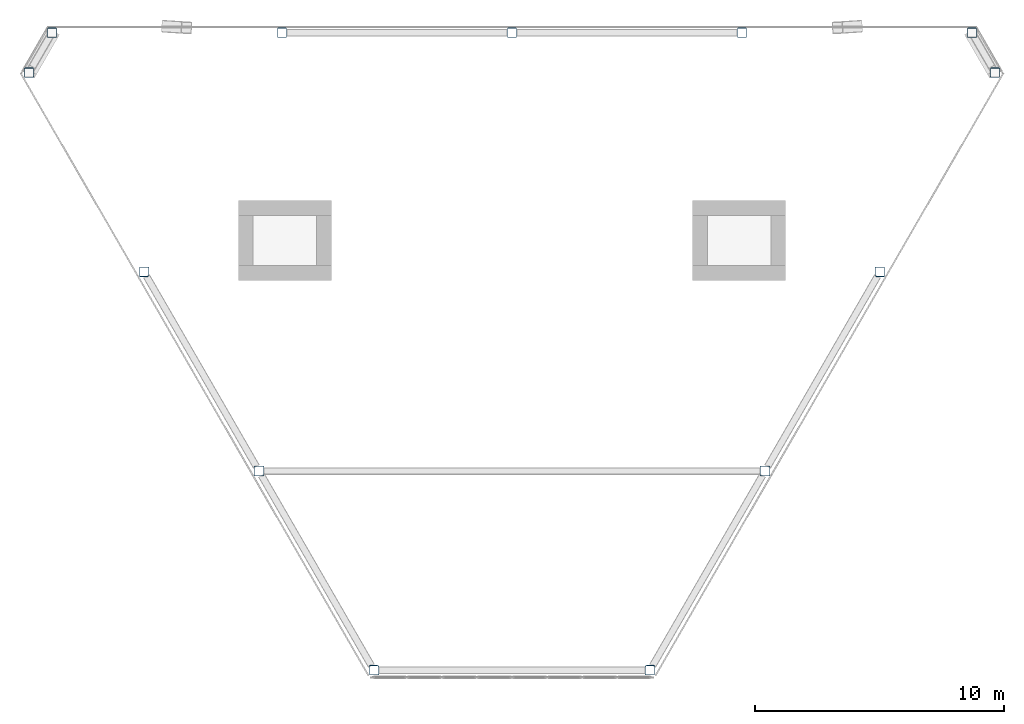
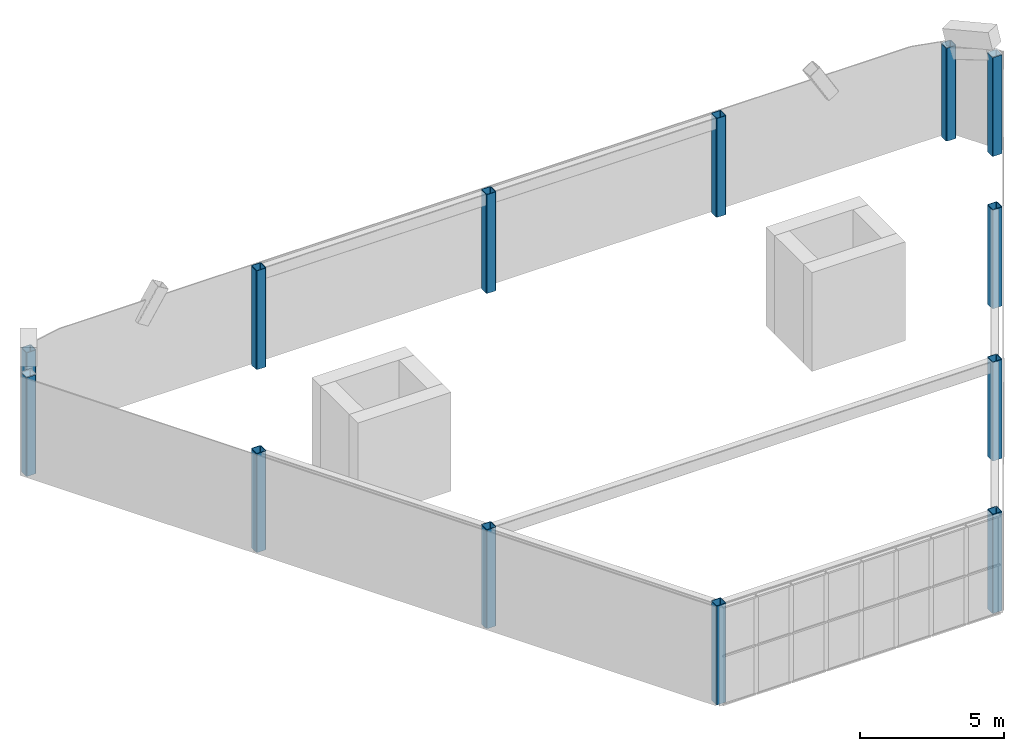
# One storey, part 1 of 4: 13 columns.
"""IFC4 building model written with IfcOpenShell, lengths in metres."""

from ifc_helpers import new_model, si_unit, direction, frame, origin, origin_2d, place, context, subcontext, project, spatial, hollow_rectangle, extrude, material, material_profile, profile_set, type_object, element, save


model = new_model("IFC4")

# Units and contexts
model_context = context("Model", 3, precision=1e-05, world=origin(), true_north=direction((0.0, 1.0)))
body_context = subcontext(model_context, "Body", "Model", "MODEL_VIEW")
ifc_project = project(units=[si_unit("LENGTHUNIT", "METRE"), si_unit("AREAUNIT", "SQUARE_METRE"), si_unit("VOLUMEUNIT", "CUBIC_METRE"), si_unit("PLANEANGLEUNIT", "RADIAN"), si_unit("MASSUNIT", "GRAM", prefix="KILO")], contexts=[model_context])

# Site, building, storey
site_placement = place(None, origin())
site = spatial("IfcSite", under=ifc_project, at=site_placement, CompositionType="ELEMENT")
building_placement = place(site_placement, origin())
building = spatial("IfcBuilding", under=site, at=building_placement, Name="Aloe Facet Convention Tower", CompositionType="ELEMENT")
storey_placement = place(building_placement, frame((0.0, 0.0, 289.699951171875)))
storey = spatial("IfcBuildingStorey", under=building, at=storey_placement, Name="C2", CompositionType="ELEMENT", Elevation=289.699951171875)

# Columns
ifc_material = material(Name="Steel S355, bronze oxide finish", Category="steel")
ifc_material_profile = material_profile(ifc_material, hollow_rectangle(XDim=0.39990234375, YDim=0.39990234375, WallThickness=0.02490234375, InnerFilletRadius=0.02490234375, OuterFilletRadius=0.050048828125, at=origin_2d()), Name="SHS 400x400x25")
ifc_profile_set = profile_set([ifc_material_profile], Name="Steel S355, bronze oxide finish")
column_type = type_object("IfcColumnType", Name="STW-CROWN FRAME POST", PredefinedType="COLUMN", material=ifc_profile_set)
column_1_placement = place(storey_placement, frame((98.486083984375, 134.800048828125, 0.0), z_axis=(0.0, 0.0, 1.0), x_axis=(1.0, 0.0, 0.0)))
element("IfcColumn", 1, at=column_1_placement, inside=storey, type_object=column_type, Name="Crown frame post CF-P-N1-C2", PredefinedType="COLUMN", context=body_context, shape_type="SweptSolid", body=[
    extrude(hollow_rectangle(XDim=0.39990234375, YDim=0.39990234375, WallThickness=0.02490234375, InnerFilletRadius=0.02490234375, OuterFilletRadius=0.050048828125, at=origin_2d()), origin(), (0.0, 0.0, 1.0), 3.9521484375),
])
for number, where, z_axis, x_axis, name in (
    (2, (89.2431640625, 134.800048828125, 0.0), (0.0, 0.0, 1.0), (1.0, 0.0, 0.0), "Crown frame post CF-P-N2-C2"),
    (3, (80.0, 134.800048828125, 0.0), (0.0, 0.0, 1.0), (1.0, 0.0, 0.0), "Crown frame post CF-P-N3-C2"),
    (4, (70.7568359375, 134.800048828125, 0.0), (0.0, 0.0, 1.0), (1.0, 0.0, 0.0), "Crown frame post CF-P-N4-C2"),
):
    element("IfcColumn", number, at=place(storey_placement, frame(where, z_axis=z_axis, x_axis=x_axis)), inside=storey, type_object=column_type, Name=name, PredefinedType="COLUMN", context=body_context, shape_type="SweptSolid", body=[
        extrude(hollow_rectangle(XDim=0.39990234375, YDim=0.39990234375, WallThickness=0.02490234375, InnerFilletRadius=0.02490234375, OuterFilletRadius=0.050048828125, at=origin_2d()), origin(), (0.0, 0.0, 1.0), 4.199951171875),
    ])
column_2_placement = place(storey_placement, frame((61.513916015625, 134.800048828125, 0.0), z_axis=(0.0, 0.0, 1.0), x_axis=(1.0, 0.0, 0.0)))
element("IfcColumn", 5, at=column_2_placement, inside=storey, type_object=column_type, Name="Crown frame post CF-P-N5-C2", PredefinedType="COLUMN", context=body_context, shape_type="SweptSolid", body=[
    extrude(hollow_rectangle(XDim=0.39990234375, YDim=0.39990234375, WallThickness=0.02490234375, InnerFilletRadius=0.02490234375, OuterFilletRadius=0.050048828125, at=origin_2d()), origin(), (0.0, 0.0, 1.0), 3.9521484375),
])
for number, where, z_axis, x_axis, name in (
    (6, (60.587158203125, 133.19482421875, 0.0), (0.0, 0.0, 1.0), (1.0, 0.0, 0.0), "Crown frame post CF-P-WSW1-C2"),
    (7, (65.20849609375, 125.18994140625, 0.0), (0.0, 0.0, 1.0), (1.0, 0.0, 0.0), "Crown frame post CF-P-WSW2-C2"),
    (8, (69.830078125, 117.185302734375, 0.0), (0.0, 0.0, 1.0), (1.0, 0.0, 0.0), "Crown frame post CF-P-WSW3-C2"),
    (9, (74.45166015625, 109.180419921875, 0.0), (0.0, 0.0, 1.0), (1.0, 0.0, 0.0), "Crown frame post CF-P-WSW4-C2"),
    (10, (85.54833984375, 109.180419921875, 0.0), (0.0, 0.0, 1.0), (1.0, 0.0, 0.0), "Crown frame post CF-P-ESE2-C2"),
    (11, (90.169921875, 117.185302734375, 0.0), (0.0, 0.0, 1.0), (1.0, 0.0, 0.0), "Crown frame post CF-P-ESE3-C2"),
    (12, (94.79150390625, 125.18994140625, 0.0), (0.0, 0.0, 1.0), (1.0, 0.0, 0.0), "Crown frame post CF-P-ESE4-C2"),
    (13, (99.412841796875, 133.19482421875, 0.0), (0.0, 0.0, 1.0), (1.0, 0.0, 0.0), "Crown frame post CF-P-ESE5-C2"),
):
    element("IfcColumn", number, at=place(storey_placement, frame(where, z_axis=z_axis, x_axis=x_axis)), inside=storey, type_object=column_type, Name=name, PredefinedType="COLUMN", context=body_context, shape_type="SweptSolid", body=[
        extrude(hollow_rectangle(XDim=0.39990234375, YDim=0.39990234375, WallThickness=0.02490234375, InnerFilletRadius=0.02490234375, OuterFilletRadius=0.050048828125, at=origin_2d()), origin(), (0.0, 0.0, 1.0), 4.199951171875),
    ])

save(model, "model.ifc")
